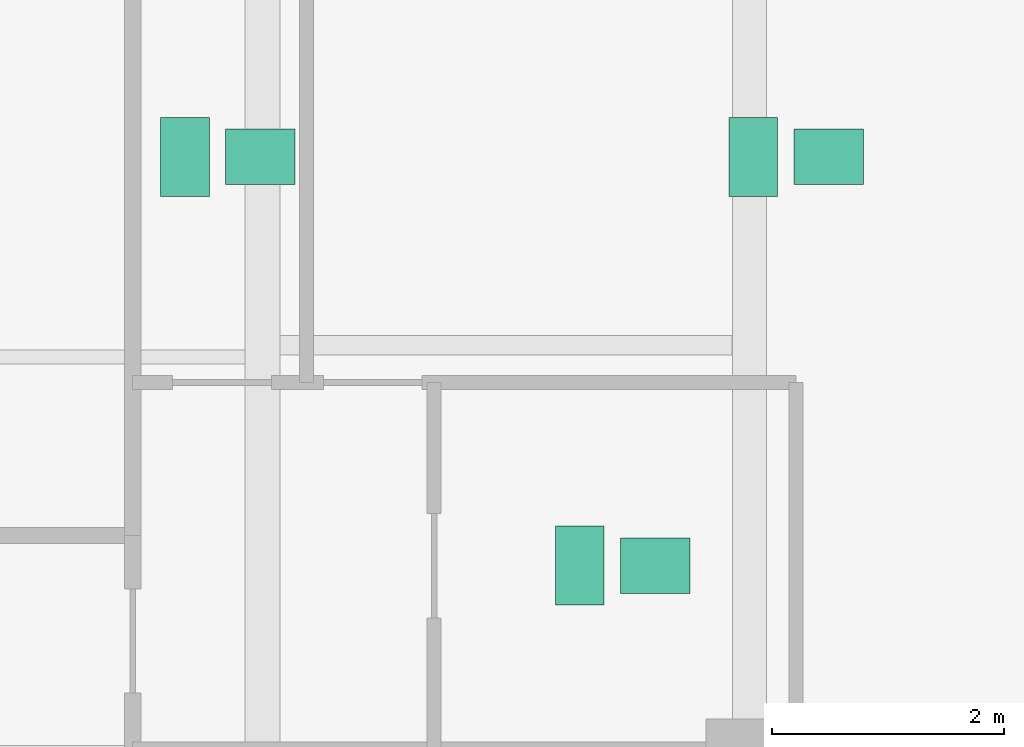
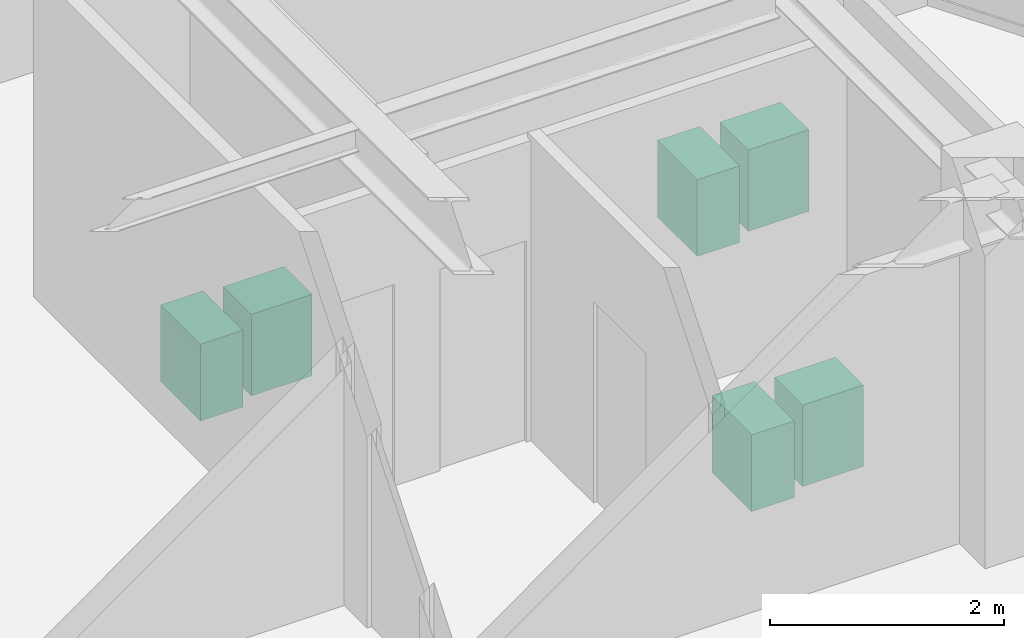
# One storey, part 20 of 20: 6 sanitary terminals.
"""IFC4 building model written with IfcOpenShell, lengths in metres."""

from ifc_helpers import new_model, si_unit, direction, frame, origin, origin_2d, place, context, subcontext, project, spatial, rectangle, extrude, source, transform, mapped, material, type_object, type_shapes, element, save


model = new_model("IFC4")

# Units and contexts
model_context = context("Model", 3, precision=1e-05, world=origin(), true_north=direction((0.0, 1.0)))
body_context = subcontext(model_context, "Body", "Model", "MODEL_VIEW")
ifc_project = project(units=[si_unit("LENGTHUNIT", "METRE"), si_unit("AREAUNIT", "SQUARE_METRE"), si_unit("VOLUMEUNIT", "CUBIC_METRE"), si_unit("PLANEANGLEUNIT", "RADIAN"), si_unit("MASSUNIT", "GRAM", prefix="KILO")], contexts=[model_context])

# Site, building, storey
site_placement = place(None, origin())
site = spatial("IfcSite", under=ifc_project, at=site_placement, CompositionType="ELEMENT")
building_placement = place(site_placement, origin())
building = spatial("IfcBuilding", under=site, at=building_placement, Name="Krantzveldt Concourse Tower", CompositionType="ELEMENT")
storey_placement = place(building_placement, frame((0.0, 0.0, 299.0)))
storey = spatial("IfcBuildingStorey", under=building, at=storey_placement, Name="L73", CompositionType="ELEMENT", Elevation=299.0)

# Sanitary terminals
ifc_material = material(Name="Vitreous china", Category="ceramic")
sanitary_terminal_type_1 = type_object("IfcSanitaryTerminalType", Name="SAN-WC-SUITE", PredefinedType="TOILETPAN", material=ifc_material)
shared_shape_1 = source(origin(), body_context, "Body", "SweptSolid", [
    extrude(rectangle(XDim=0.419921875, YDim=0.679931640625, at=origin_2d()), origin(), (0.0, 0.0, 1.0), 0.800048828125),
])
type_shapes(sanitary_terminal_type_1, [shared_shape_1])
for number, where, z_axis, x_axis, name in (
    (1, (51.0322265625, 31.925048828125, 0.0), (0.0, 0.0, 1.0), (1.0, 0.0, 0.0), "WC-SP-L73-WCM"),
    (2, (46.1298828125, 31.925048828125, 0.0), (0.0, 0.0, 1.0), (1.0, 0.0, 0.0), "WC-SP-L73-WCF"),
    (3, (49.534912109375, 28.39990234375, 0.0), (0.0, 0.0, 1.0), (1.0, 0.0, 0.0), "WC-SP-L73-WCA"),
):
    element("IfcSanitaryTerminal", number, at=place(storey_placement, frame(where, z_axis=z_axis, x_axis=x_axis)), inside=storey, type_object=sanitary_terminal_type_1, Name=name, PredefinedType="TOILETPAN", context=body_context, shape_type="MappedRepresentation", body=[
        mapped(shared_shape_1, transform((0.0, 0.0, 0.0), x_axis=(1.0, 0.0, 0.0), y_axis=(0.0, 1.0, 0.0), z_axis=(0.0, 0.0, 1.0), scale=1.0)),
    ])
sanitary_terminal_type_2 = type_object("IfcSanitaryTerminalType", Name="SAN-BASIN-600", PredefinedType="WASHHANDBASIN", material=ifc_material)
shared_shape_2 = source(origin(), body_context, "Body", "SweptSolid", [
    extrude(rectangle(XDim=0.60009765625, YDim=0.47998046875, at=origin_2d()), origin(), (0.0, 0.0, 1.0), 0.85009765625),
])
type_shapes(sanitary_terminal_type_2, [shared_shape_2])
for number, where, z_axis, x_axis, name in (
    (4, (51.682373046875, 31.925048828125, 0.0048828125), (0.0, 0.0, 1.0), (1.0, 0.0, 0.0), "BSN-SP-L73-WCM"),
    (5, (46.780029296875, 31.925048828125, 0.0048828125), (0.0, 0.0, 1.0), (1.0, 0.0, 0.0), "BSN-SP-L73-WCF"),
    (6, (50.18505859375, 28.39990234375, 0.0048828125), (0.0, 0.0, 1.0), (1.0, 0.0, 0.0), "BSN-SP-L73-WCA"),
):
    element("IfcSanitaryTerminal", number, at=place(storey_placement, frame(where, z_axis=z_axis, x_axis=x_axis)), inside=storey, type_object=sanitary_terminal_type_2, Name=name, PredefinedType="WASHHANDBASIN", context=body_context, shape_type="MappedRepresentation", body=[
        mapped(shared_shape_2, transform((0.0, 0.0, 0.0), x_axis=(1.0, 0.0, 0.0), y_axis=(0.0, 1.0, 0.0), z_axis=(0.0, 0.0, 1.0), scale=1.0)),
    ])

save(model, "model.ifc")
